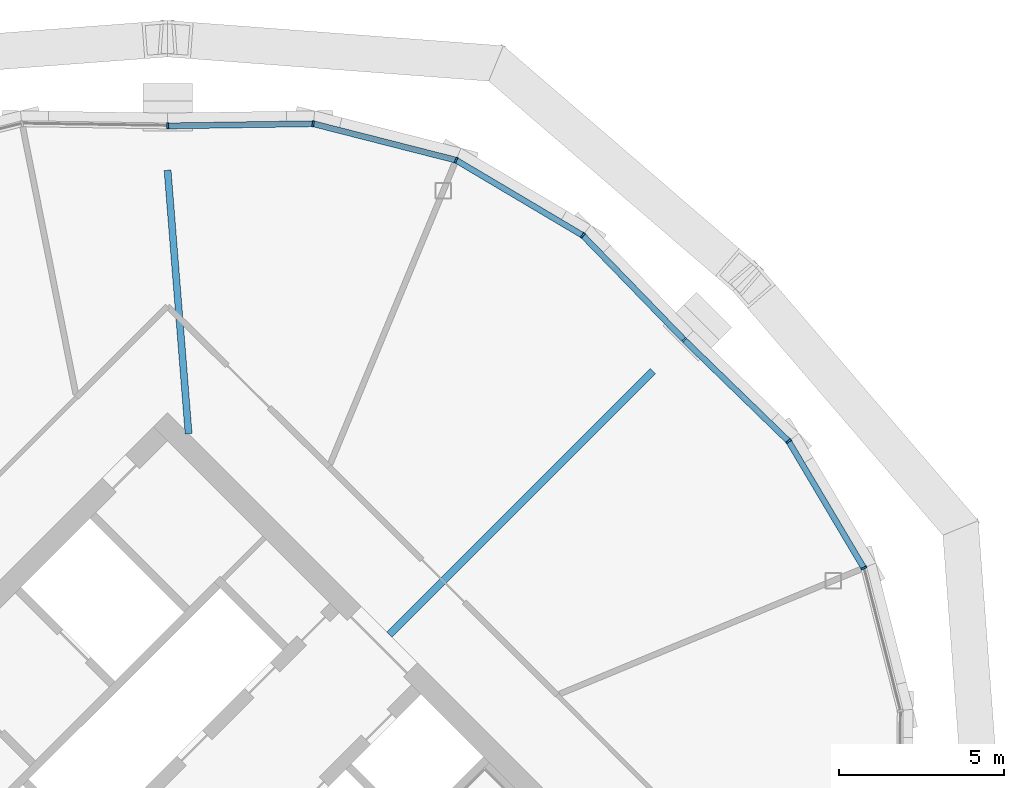
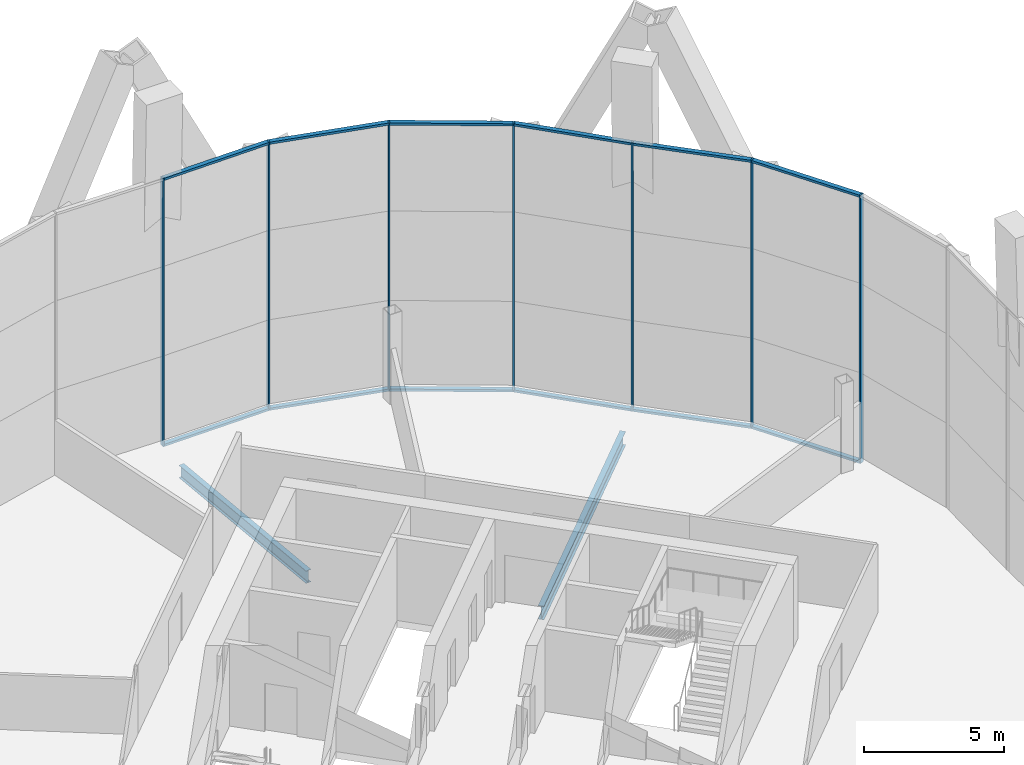
# One storey, part 11 of 23: 19 members, 2 beams, 2 elements without a shape of their own.
"""IFC4 building model written with IfcOpenShell, lengths in metres."""

from ifc_helpers import new_model, si_unit, direction, frame, origin, origin_2d, place, context, subcontext, project, spatial, rectangle, i_section, extrude, material, material_profile, profile_set, type_object, element, aggregate, save


model = new_model("IFC4")

# Units and contexts
model_context = context("Model", 3, precision=1e-05, world=origin(), true_north=direction((0.0, 1.0)))
body_context = subcontext(model_context, "Body", "Model", "MODEL_VIEW")
ifc_project = project(units=[si_unit("LENGTHUNIT", "METRE"), si_unit("AREAUNIT", "SQUARE_METRE"), si_unit("VOLUMEUNIT", "CUBIC_METRE"), si_unit("PLANEANGLEUNIT", "RADIAN"), si_unit("MASSUNIT", "GRAM", prefix="KILO")], contexts=[model_context])

# Site, building, storey
site_placement = place(None, origin())
site = spatial("IfcSite", under=ifc_project, at=site_placement, CompositionType="ELEMENT")
building_placement = place(site_placement, origin())
building = spatial("IfcBuilding", under=site, at=building_placement, Name="Ogive Gate Towers", CompositionType="ELEMENT")
storey_placement = place(building_placement, frame((0.0, 0.0, 165.60009765625)))
storey = spatial("IfcBuildingStorey", under=building, at=storey_placement, Name="L39", CompositionType="ELEMENT", Elevation=165.60009765625)

# Beams
ifc_material_1 = material(Name="Steel SM355", Category="steel")
ifc_material_profile_1 = material_profile(ifc_material_1, i_section(OverallWidth=0.2099609375, OverallDepth=0.550048828125, WebThickness=0.010986328125, FlangeThickness=0.01708984375, FilletRadius=0.02392578125, at=origin_2d()), Name="IPE 550")
ifc_profile_set_1 = profile_set([ifc_material_profile_1], Name="Steel SM355")
beam_type_1 = type_object("IfcBeamType", Name="Radial floor beam IPE 550", PredefinedType="BEAM", material=ifc_profile_set_1)
beam_1_placement = place(storey_placement, frame((36.636474609375, 12.798583984375, -0.5751953125), z_axis=(-0.079511264027, 0.996833967566, 0.0), x_axis=(-0.996833967566, -0.079511264027, 0.0)))
element("IfcBeam", 1, at=beam_1_placement, inside=storey, type_object=beam_type_1, Name="T2/L39/SBM006", PredefinedType="BEAM", context=body_context, shape_type="SweptSolid", body=[
    extrude(i_section(OverallWidth=0.2099609375, OverallDepth=0.550048828125, WebThickness=0.010986328125, FlangeThickness=0.01708984375, FilletRadius=0.02392578125, at=origin_2d()), origin(), (0.0, 0.0, 1.0), 8.0048828125),
])
ifc_material_profile_2 = material_profile(ifc_material_1, i_section(OverallWidth=0.219970703125, OverallDepth=0.60009765625, WebThickness=0.011962890625, FlangeThickness=0.01904296875, FilletRadius=0.02392578125, at=origin_2d()), Name="IPE 600")
ifc_profile_set_2 = profile_set([ifc_material_profile_2], Name="Steel SM355")
beam_type_2 = type_object("IfcBeamType", Name="Radial floor beam IPE 600", PredefinedType="BEAM", material=ifc_profile_set_2)
beam_2_placement = place(storey_placement, frame((42.717529296875, 6.717529296875, -0.60009765625), z_axis=(0.707106781187, 0.707106781187, 0.0), x_axis=(-0.707106781187, 0.707106781187, 0.0)))
element("IfcBeam", 2, at=beam_2_placement, inside=storey, type_object=beam_type_2, Name="T2/L39/SBM005", PredefinedType="BEAM", context=body_context, shape_type="SweptSolid", body=[
    extrude(i_section(OverallWidth=0.219970703125, OverallDepth=0.60009765625, WebThickness=0.011962890625, FlangeThickness=0.01904296875, FilletRadius=0.02392578125, at=origin_2d()), origin(), (0.0, 0.0, 1.0), 11.278076171875),
])

# Curtain wall, members
ifc_material_2 = material(Name="Pale metal aluminium", Category="aluminium")
curtain_wall_type = type_object("IfcCurtainWallType", Name="Tower unitised wall, high zone", PredefinedType="NOTDEFINED", material=ifc_material_2)
curtain_wall_1_placement = place(storey_placement, origin())
curtain_wall_1 = element("IfcCurtainWall", 3, at=curtain_wall_1_placement, inside=storey, type_object=curtain_wall_type, Name="CW2 T2 ECW01", PredefinedType="NOTDEFINED")
ifc_material_profile_3 = material_profile(ifc_material_2, rectangle(XDim=0.179931640625, YDim=0.06005859375, at=origin_2d()), Name="60 x 180 aluminium box")
ifc_profile_set_3 = profile_set([ifc_material_profile_3], Name="Pale metal aluminium")
member_type_1 = type_object("IfcMemberType", Name="Tower unitised wall, high zone mullion 60 x 180", PredefinedType="MULLION", material=ifc_profile_set_3)
member_1_placement = place(storey_placement, frame((57.083984375, 8.7333984375, -0.300048828125), z_axis=(0.0, 0.0, 1.0), x_axis=(0.923879532511, 0.382683432365, 0.0)))
member_1 = element("IfcMember", 4, at=member_1_placement, type_object=member_type_1, Name="CW2 mullion", PredefinedType="MULLION", context=body_context, shape_type="SweptSolid", body=[
    extrude(rectangle(XDim=0.179931640625, YDim=0.06005859375, at=origin_2d()), origin(), (0.0, 0.0, 1.0), 11.699951171875),
])
member_2_placement = place(storey_placement, frame((54.804443359375, 12.5732421875, -0.300048828125), z_axis=(0.0, 0.0, 1.0), x_axis=(0.784949414887, 0.619559856727, 0.0)))
member_2 = element("IfcMember", 5, at=member_2_placement, type_object=member_type_1, Name="CW2 mullion", PredefinedType="MULLION", context=body_context, shape_type="SweptSolid", body=[
    extrude(rectangle(XDim=0.179931640625, YDim=0.06005859375, at=origin_2d()), origin(), (0.0, 0.0, 1.0), 11.699951171875),
])
member_3_placement = place(storey_placement, frame((51.641357421875, 15.64111328125, -0.300048828125), z_axis=(0.0, 0.0, 1.0), x_axis=(0.696238600306, 0.717810428625, 0.0)))
member_3 = element("IfcMember", 6, at=member_3_placement, type_object=member_type_1, Name="CW2 mullion", PredefinedType="MULLION", context=body_context, shape_type="SweptSolid", body=[
    extrude(rectangle(XDim=0.179931640625, YDim=0.06005859375, at=origin_2d()), origin(), (0.0, 0.0, 1.0), 11.699951171875),
])

curtain_wall_2_placement = place(storey_placement, origin())
curtain_wall_2 = element("IfcCurtainWall", 7, at=curtain_wall_2_placement, inside=storey, type_object=curtain_wall_type, Name="CW2 T2 ECW02", PredefinedType="NOTDEFINED")
member_4_placement = place(storey_placement, frame((48.5732421875, 18.804443359375, -0.300048828125), z_axis=(0.0, 0.0, 1.0), x_axis=(0.619559856727, 0.784949414887, 0.0)))
member_4 = element("IfcMember", 8, at=member_4_placement, type_object=member_type_1, Name="CW2 mullion", PredefinedType="MULLION", context=body_context, shape_type="SweptSolid", body=[
    extrude(rectangle(XDim=0.179931640625, YDim=0.06005859375, at=origin_2d()), origin(), (0.0, 0.0, 1.0), 11.699951171875),
])
member_5_placement = place(storey_placement, frame((44.7333984375, 21.083984375, -0.300048828125), z_axis=(0.0, 0.0, 1.0), x_axis=(0.382683432365, 0.923879532511, 0.0)))
member_5 = element("IfcMember", 9, at=member_5_placement, type_object=member_type_1, Name="CW2 mullion", PredefinedType="MULLION", context=body_context, shape_type="SweptSolid", body=[
    extrude(rectangle(XDim=0.179931640625, YDim=0.06005859375, at=origin_2d()), origin(), (0.0, 0.0, 1.0), 11.699951171875),
])
member_6_placement = place(storey_placement, frame((40.406005859375, 22.1875, -0.300048828125), z_axis=(0.0, 0.0, 1.0), x_axis=(0.116948078113, 0.993138030198, 0.0)))
member_6 = element("IfcMember", 10, at=member_6_placement, type_object=member_type_1, Name="CW2 mullion", PredefinedType="MULLION", context=body_context, shape_type="SweptSolid", body=[
    extrude(rectangle(XDim=0.179931640625, YDim=0.06005859375, at=origin_2d()), origin(), (0.0, 0.0, 1.0), 11.699951171875),
])
member_7_placement = place(storey_placement, frame((36.000244140625, 22.1201171875, -0.300048828125), z_axis=(0.0, 0.0, 1.0), x_axis=(-0.015271037347, 0.99988339091, 0.0)))
member_7 = element("IfcMember", 11, at=member_7_placement, type_object=member_type_1, Name="CW2 mullion", PredefinedType="MULLION", context=body_context, shape_type="SweptSolid", body=[
    extrude(rectangle(XDim=0.179931640625, YDim=0.06005859375, at=origin_2d()), origin(), (0.0, 0.0, 1.0), 11.699951171875),
])

# Member
ifc_material_profile_4 = material_profile(ifc_material_2, rectangle(XDim=0.179931640625, YDim=0.10009765625, at=origin_2d()), Name="100 x 180 aluminium box")
ifc_profile_set_4 = profile_set([ifc_material_profile_4], Name="Pale metal aluminium")
member_type_2 = type_object("IfcMemberType", Name="Tower unitised wall, high zone transom 100 x 180", PredefinedType="USERDEFINED", material=ifc_profile_set_4)
member_8_placement = place(storey_placement, frame((57.069091796875, 8.7578125, 11.349853515625), z_axis=(-0.5104504611, 0.859907161712, 0.0), x_axis=(-0.859907161712, -0.5104504611, 0.0)))
member_8 = element("IfcMember", 12, at=member_8_placement, type_object=member_type_2, Name="CW2 transom", ObjectType="TRANSOM", PredefinedType="USERDEFINED", context=body_context, shape_type="SweptSolid", body=[
    extrude(rectangle(XDim=0.179931640625, YDim=0.10009765625, at=origin_2d()), origin(), (0.0, 0.0, 1.0), 4.408447265625),
])

member_9_placement = place(storey_placement, frame((57.069091796875, 8.7578125, -0.25), z_axis=(-0.5104504611, 0.859907161712, 0.0), x_axis=(-0.859907161712, -0.5104504611, 0.0)))
member_9 = element("IfcMember", 13, at=member_9_placement, type_object=member_type_2, Name="CW2 transom", ObjectType="TRANSOM", PredefinedType="USERDEFINED", context=body_context, shape_type="SweptSolid", body=[
    extrude(rectangle(XDim=0.179931640625, YDim=0.10009765625, at=origin_2d()), origin(), (0.0, 0.0, 1.0), 4.408447265625),
])

member_10_placement = place(storey_placement, frame((54.78369140625, 12.59326171875, 11.349853515625), z_axis=(-0.717834056166, 0.696214239877, 0.0), x_axis=(-0.696214239877, -0.717834056166, 0.0)))
member_10 = element("IfcMember", 14, at=member_10_placement, type_object=member_type_2, Name="CW2 transom", ObjectType="TRANSOM", PredefinedType="USERDEFINED", context=body_context, shape_type="SweptSolid", body=[
    extrude(rectangle(XDim=0.179931640625, YDim=0.10009765625, at=origin_2d()), origin(), (0.0, 0.0, 1.0), 4.34765625),
])

member_11_placement = place(storey_placement, frame((54.78369140625, 12.59326171875, -0.25), z_axis=(-0.717834056166, 0.696214239877, 0.0), x_axis=(-0.696214239877, -0.717834056166, 0.0)))
member_11 = element("IfcMember", 15, at=member_11_placement, type_object=member_type_2, Name="CW2 transom", ObjectType="TRANSOM", PredefinedType="USERDEFINED", context=body_context, shape_type="SweptSolid", body=[
    extrude(rectangle(XDim=0.179931640625, YDim=0.10009765625, at=origin_2d()), origin(), (0.0, 0.0, 1.0), 4.34765625),
])

aggregate(curtain_wall_1, [member_1, member_2, member_8, member_9, member_3, member_10, member_11])

member_12_placement = place(storey_placement, frame((51.6201171875, 15.662841796875, 11.349853515625), z_axis=(-0.696214239877, 0.717834056166, 0.0), x_axis=(-0.717834056166, -0.696214239877, 0.0)))
member_12 = element("IfcMember", 16, at=member_12_placement, type_object=member_type_2, Name="CW2 transom", ObjectType="TRANSOM", PredefinedType="USERDEFINED", context=body_context, shape_type="SweptSolid", body=[
    extrude(rectangle(XDim=0.179931640625, YDim=0.10009765625, at=origin_2d()), origin(), (0.0, 0.0, 1.0), 4.34765625),
])

member_13_placement = place(storey_placement, frame((51.6201171875, 15.662841796875, -0.25), z_axis=(-0.696214239877, 0.717834056166, 0.0), x_axis=(-0.717834056166, -0.696214239877, 0.0)))
member_13 = element("IfcMember", 17, at=member_13_placement, type_object=member_type_2, Name="CW2 transom", ObjectType="TRANSOM", PredefinedType="USERDEFINED", context=body_context, shape_type="SweptSolid", body=[
    extrude(rectangle(XDim=0.179931640625, YDim=0.10009765625, at=origin_2d()), origin(), (0.0, 0.0, 1.0), 4.34765625),
])

member_14_placement = place(storey_placement, frame((48.548583984375, 18.81884765625, 11.349853515625), z_axis=(-0.859907161712, 0.5104504611, 0.0), x_axis=(-0.5104504611, -0.859907161712, 0.0)))
member_14 = element("IfcMember", 18, at=member_14_placement, type_object=member_type_2, Name="CW2 transom", ObjectType="TRANSOM", PredefinedType="USERDEFINED", context=body_context, shape_type="SweptSolid", body=[
    extrude(rectangle(XDim=0.179931640625, YDim=0.10009765625, at=origin_2d()), origin(), (0.0, 0.0, 1.0), 4.408447265625),
])

member_15_placement = place(storey_placement, frame((48.548583984375, 18.81884765625, -0.25), z_axis=(-0.859907161712, 0.5104504611, 0.0), x_axis=(-0.5104504611, -0.859907161712, 0.0)))
member_15 = element("IfcMember", 19, at=member_15_placement, type_object=member_type_2, Name="CW2 transom", ObjectType="TRANSOM", PredefinedType="USERDEFINED", context=body_context, shape_type="SweptSolid", body=[
    extrude(rectangle(XDim=0.179931640625, YDim=0.10009765625, at=origin_2d()), origin(), (0.0, 0.0, 1.0), 4.408447265625),
])

member_16_placement = place(storey_placement, frame((44.70556640625, 21.0908203125, 11.349853515625), z_axis=(-0.968988279215, 0.247106686967, 0.0), x_axis=(-0.247106686967, -0.968988279215, 0.0)))
member_16 = element("IfcMember", 20, at=member_16_placement, type_object=member_type_2, Name="CW2 transom", ObjectType="TRANSOM", PredefinedType="USERDEFINED", context=body_context, shape_type="SweptSolid", body=[
    extrude(rectangle(XDim=0.179931640625, YDim=0.10009765625, at=origin_2d()), origin(), (0.0, 0.0, 1.0), 4.408447265625),
])

member_17_placement = place(storey_placement, frame((44.70556640625, 21.0908203125, -0.25), z_axis=(-0.968988279215, 0.247106686967, 0.0), x_axis=(-0.247106686967, -0.968988279215, 0.0)))
member_17 = element("IfcMember", 21, at=member_17_placement, type_object=member_type_2, Name="CW2 transom", ObjectType="TRANSOM", PredefinedType="USERDEFINED", context=body_context, shape_type="SweptSolid", body=[
    extrude(rectangle(XDim=0.179931640625, YDim=0.10009765625, at=origin_2d()), origin(), (0.0, 0.0, 1.0), 4.408447265625),
])

member_18_placement = place(storey_placement, frame((40.37744140625, 22.186767578125, 11.349853515625), z_axis=(-0.999884215177, -0.015216972107, 0.0), x_axis=(0.015216972107, -0.999884215177, 0.0)))
member_18 = element("IfcMember", 22, at=member_18_placement, type_object=member_type_2, Name="CW2 transom", ObjectType="TRANSOM", PredefinedType="USERDEFINED", context=body_context, shape_type="SweptSolid", body=[
    extrude(rectangle(XDim=0.179931640625, YDim=0.10009765625, at=origin_2d()), origin(), (0.0, 0.0, 1.0), 4.347900390625),
])

member_19_placement = place(storey_placement, frame((40.37744140625, 22.186767578125, -0.25), z_axis=(-0.999884215177, -0.015216972107, 0.0), x_axis=(0.015216972107, -0.999884215177, 0.0)))
member_19 = element("IfcMember", 23, at=member_19_placement, type_object=member_type_2, Name="CW2 transom", ObjectType="TRANSOM", PredefinedType="USERDEFINED", context=body_context, shape_type="SweptSolid", body=[
    extrude(rectangle(XDim=0.179931640625, YDim=0.10009765625, at=origin_2d()), origin(), (0.0, 0.0, 1.0), 4.347900390625),
])

aggregate(curtain_wall_2, [member_4, member_12, member_13, member_5, member_14, member_15, member_6, member_16, member_17, member_7, member_18, member_19])

save(model, "model.ifc")
